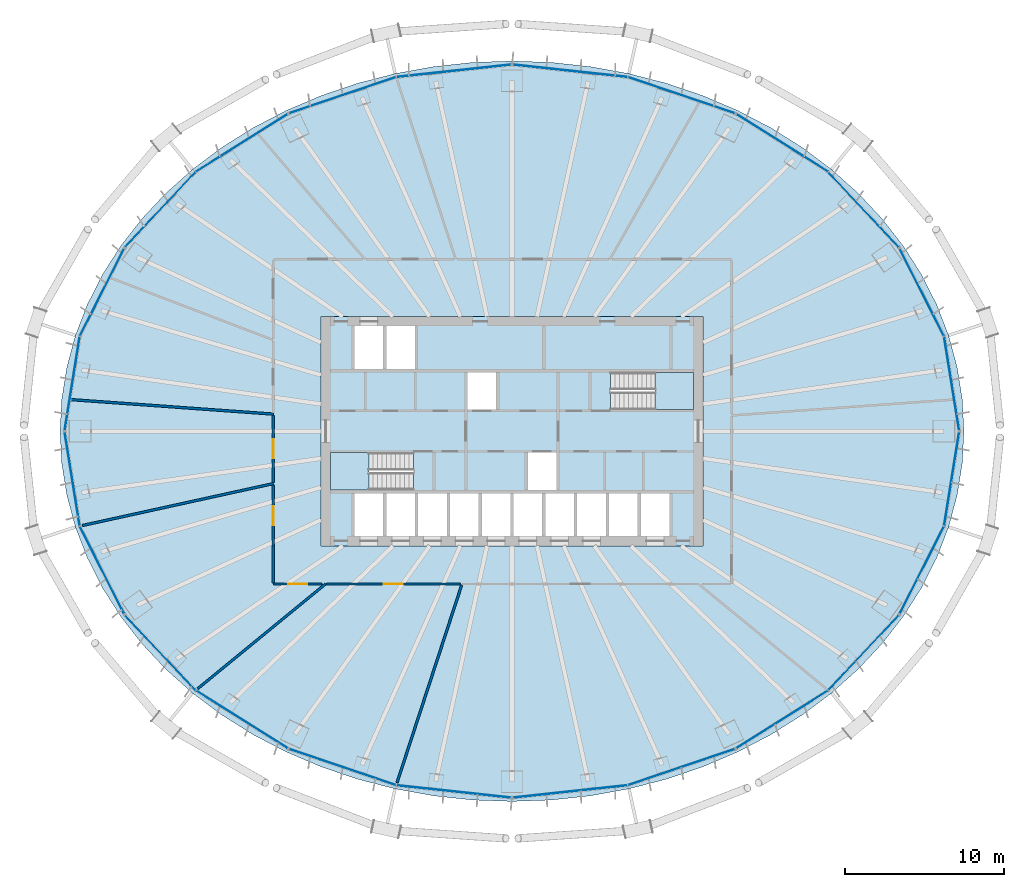
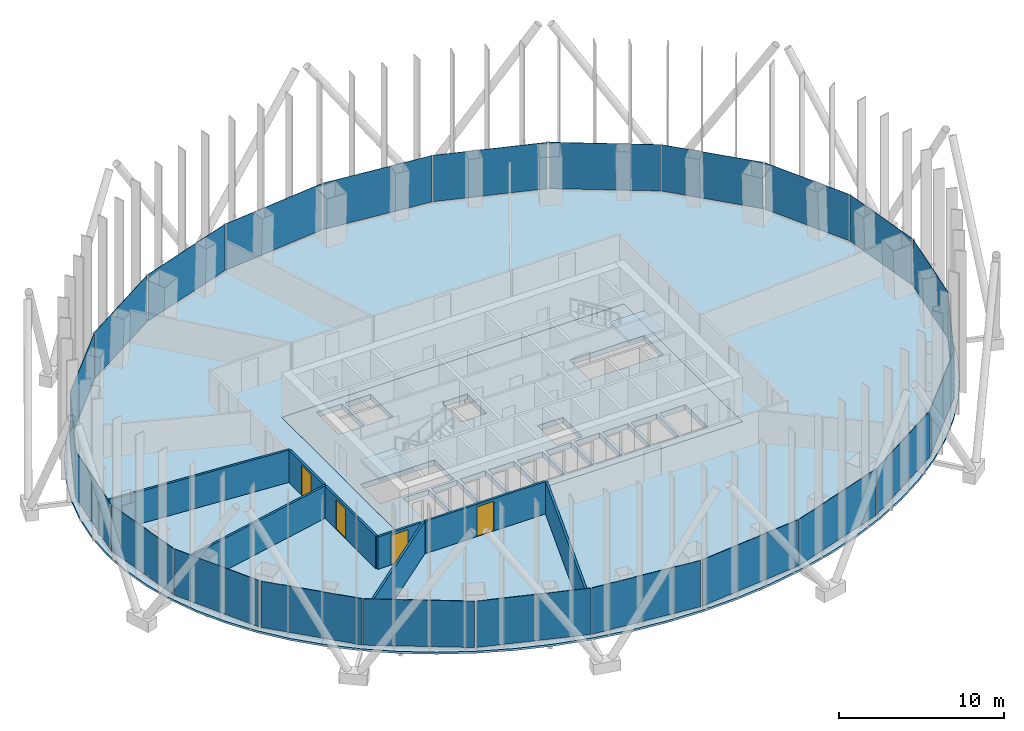
# One storey, part 7 of 22: 24 plates, 9 walls, 4 doors, 4 slabs, 4 openings, 14 elements without a shape of their own.
"""IFC4 building model written with IfcOpenShell, lengths in metres."""

from ifc_helpers import new_model, si_unit, direction, frame, frame_2d, origin, origin_2d, place, context, subcontext, project, spatial, polyline, rectangle, outline, extrude, material, layer, layer_set, type_object, element, fill, aggregate, save


model = new_model("IFC4")

# Units and contexts
model_context = context("Model", 3, precision=1e-05, world=origin(), true_north=direction((0.0, 1.0)))
body_context = subcontext(model_context, "Body", "Model", "MODEL_VIEW")
ifc_project = project(units=[si_unit("LENGTHUNIT", "METRE"), si_unit("AREAUNIT", "SQUARE_METRE"), si_unit("VOLUMEUNIT", "CUBIC_METRE"), si_unit("PLANEANGLEUNIT", "RADIAN"), si_unit("MASSUNIT", "GRAM", prefix="KILO")], contexts=[model_context])

# Site, building, storey
site_placement = place(None, origin())
site = spatial("IfcSite", under=ifc_project, at=site_placement, CompositionType="ELEMENT")
building_placement = place(site_placement, origin())
building = spatial("IfcBuilding", under=site, at=building_placement, Name="Siaravel Broadcast Tower", CompositionType="ELEMENT")
storey_placement = place(building_placement, frame((0.0, 0.0, 37.10009765625)))
storey = spatial("IfcBuildingStorey", under=building, at=storey_placement, Name="L07", CompositionType="ELEMENT", Elevation=37.10009765625)

# Curtain wall, plates
ifc_material_1 = material(Name="Aluminium 6063-T6", Category="aluminium")
ifc_layer_1 = layer(ifc_material_1, 0.219970703125)
ifc_layer_set_1 = layer_set([ifc_layer_1], Name="Aluminium 6063-T6")
curtain_wall_type = type_object("IfcCurtainWallType", Name="Unitised curtain wall, zone 1", PredefinedType="NOTDEFINED", material=ifc_layer_set_1)
curtain_wall_1_placement = place(storey_placement, origin())
curtain_wall_1 = element("IfcCurtainWall", 1, at=curtain_wall_1_placement, inside=storey, type_object=curtain_wall_type, Name="L07 Unitised curtain wall, zone 1 01", PredefinedType="NOTDEFINED")
ifc_material_2 = material(Name="Tinted laminated glass", Category="glass")
ifc_layer_2 = layer(ifc_material_2, 0.031982421875)
ifc_layer_set_2 = layer_set([ifc_layer_2], Name="Tinted laminated glass")
plate_type = type_object("IfcPlateType", Name="CW-Z1 glass panel", PredefinedType="CURTAIN_PANEL", material=ifc_layer_set_2)
plate_1_placement = place(storey_placement, frame((27.6337890625, 3.0, 0.1201171875), z_axis=(0.0, 0.0, 1.0), x_axis=(-0.158685802, 0.987329133, 0.0)))
plate_1 = element("IfcPlate", 2, at=plate_1_placement, type_object=plate_type, Name="CW-Z1 glass panel", PredefinedType="CURTAIN_PANEL", context=body_context, shape_type="SweptSolid", body=[
    extrude(rectangle(XDim=5.937255859375, YDim=0.031982421875, at=origin_2d()), origin(), (0.0, 0.0, 1.0), 3.429931640625),
])
plate_2_placement = place(storey_placement, frame((25.760009765625, 8.72900390625, 0.1201171875), z_axis=(0.0, 0.0, 1.0), x_axis=(-0.451261399, 0.892391814, 0.0)))
plate_2 = element("IfcPlate", 3, at=plate_2_placement, type_object=plate_type, Name="CW-Z1 glass panel", PredefinedType="CURTAIN_PANEL", context=body_context, shape_type="SweptSolid", body=[
    extrude(rectangle(XDim=6.123046875, YDim=0.031982421875, at=origin_2d()), origin(), (0.0, 0.0, 1.0), 3.429931640625),
])
aggregate(curtain_wall_1, [plate_1, plate_2])

curtain_wall_2_placement = place(storey_placement, origin())
curtain_wall_2 = element("IfcCurtainWall", 4, at=curtain_wall_2_placement, inside=storey, type_object=curtain_wall_type, Name="L07 Unitised curtain wall, zone 1 02", PredefinedType="NOTDEFINED")
plate_3_placement = place(storey_placement, frame((22.10009765625, 13.921875, 0.1201171875), z_axis=(0.0, 0.0, 1.0), x_axis=(-0.683655426, 0.729804946, 0.0)))
plate_3 = element("IfcPlate", 5, at=plate_3_placement, type_object=plate_type, Name="CW-Z1 glass panel", PredefinedType="CURTAIN_PANEL", context=body_context, shape_type="SweptSolid", body=[
    extrude(rectangle(XDim=6.4326171875, YDim=0.031982421875, at=origin_2d()), origin(), (0.0, 0.0, 1.0), 3.429931640625),
])
plate_4_placement = place(storey_placement, frame((16.980712890625, 18.115234375, 0.1201171875), z_axis=(0.0, 0.0, 1.0), x_axis=(-0.846650657, 0.532149101, 0.0)))
plate_4 = element("IfcPlate", 6, at=plate_4_placement, type_object=plate_type, Name="CW-Z1 glass panel", PredefinedType="CURTAIN_PANEL", context=body_context, shape_type="SweptSolid", body=[
    extrude(rectangle(XDim=6.772705078125, YDim=0.031982421875, at=origin_2d()), origin(), (0.0, 0.0, 1.0), 3.429931640625),
])
aggregate(curtain_wall_2, [plate_3, plate_4])

curtain_wall_3_placement = place(storey_placement, origin())
curtain_wall_3 = element("IfcCurtainWall", 7, at=curtain_wall_3_placement, inside=storey, type_object=curtain_wall_type, Name="L07 Unitised curtain wall, zone 1 03", PredefinedType="NOTDEFINED")
plate_5_placement = place(storey_placement, frame((10.64794921875, 21.1103515625, 0.1201171875), z_axis=(0.0, 0.0, 1.0), x_axis=(-0.946977246, 0.321300632, 0.0)))
plate_5 = element("IfcPlate", 8, at=plate_5_placement, type_object=plate_type, Name="CW-Z1 glass panel", PredefinedType="CURTAIN_PANEL", context=body_context, shape_type="SweptSolid", body=[
    extrude(rectangle(XDim=7.05419921875, YDim=0.031982421875, at=origin_2d()), origin(), (0.0, 0.0, 1.0), 3.429931640625),
])
plate_6_placement = place(storey_placement, frame((3.65478515625, 22.645263671875, 0.1201171875), z_axis=(0.0, 0.0, 1.0), x_axis=(-0.994235589, 0.107217509, 0.0)))
plate_6 = element("IfcPlate", 9, at=plate_6_placement, type_object=plate_type, Name="CW-Z1 glass panel", PredefinedType="CURTAIN_PANEL", context=body_context, shape_type="SweptSolid", body=[
    extrude(rectangle(XDim=7.2119140625, YDim=0.031982421875, at=origin_2d()), origin(), (0.0, 0.0, 1.0), 3.429931640625),
])
aggregate(curtain_wall_3, [plate_5, plate_6])

curtain_wall_4_placement = place(storey_placement, origin())
curtain_wall_4 = element("IfcCurtainWall", 10, at=curtain_wall_4_placement, inside=storey, type_object=curtain_wall_type, Name="L07 Unitised curtain wall, zone 1 04", PredefinedType="NOTDEFINED")
plate_7_placement = place(storey_placement, frame((-3.65478515625, 22.645263671875, 0.1201171875), z_axis=(0.0, 0.0, 1.0), x_axis=(-0.994235589, -0.107217509, 0.0)))
plate_7 = element("IfcPlate", 11, at=plate_7_placement, type_object=plate_type, Name="CW-Z1 glass panel", PredefinedType="CURTAIN_PANEL", context=body_context, shape_type="SweptSolid", body=[
    extrude(rectangle(XDim=7.2119140625, YDim=0.031982421875, at=origin_2d()), origin(), (0.0, 0.0, 1.0), 3.429931640625),
])
plate_8_placement = place(storey_placement, frame((-10.64794921875, 21.1103515625, 0.1201171875), z_axis=(0.0, 0.0, 1.0), x_axis=(-0.946977246, -0.321300632, 0.0)))
plate_8 = element("IfcPlate", 12, at=plate_8_placement, type_object=plate_type, Name="CW-Z1 glass panel", PredefinedType="CURTAIN_PANEL", context=body_context, shape_type="SweptSolid", body=[
    extrude(rectangle(XDim=7.05419921875, YDim=0.031982421875, at=origin_2d()), origin(), (0.0, 0.0, 1.0), 3.429931640625),
])
aggregate(curtain_wall_4, [plate_7, plate_8])

curtain_wall_5_placement = place(storey_placement, origin())
curtain_wall_5 = element("IfcCurtainWall", 13, at=curtain_wall_5_placement, inside=storey, type_object=curtain_wall_type, Name="L07 Unitised curtain wall, zone 1 05", PredefinedType="NOTDEFINED")
plate_9_placement = place(storey_placement, frame((-16.980712890625, 18.115234375, 0.1201171875), z_axis=(0.0, 0.0, 1.0), x_axis=(-0.846650657, -0.532149101, 0.0)))
plate_9 = element("IfcPlate", 14, at=plate_9_placement, type_object=plate_type, Name="CW-Z1 glass panel", PredefinedType="CURTAIN_PANEL", context=body_context, shape_type="SweptSolid", body=[
    extrude(rectangle(XDim=6.772705078125, YDim=0.031982421875, at=origin_2d()), origin(), (0.0, 0.0, 1.0), 3.429931640625),
])
plate_10_placement = place(storey_placement, frame((-22.10009765625, 13.921875, 0.1201171875), z_axis=(0.0, 0.0, 1.0), x_axis=(-0.683655426, -0.729804946, 0.0)))
plate_10 = element("IfcPlate", 15, at=plate_10_placement, type_object=plate_type, Name="CW-Z1 glass panel", PredefinedType="CURTAIN_PANEL", context=body_context, shape_type="SweptSolid", body=[
    extrude(rectangle(XDim=6.4326171875, YDim=0.031982421875, at=origin_2d()), origin(), (0.0, 0.0, 1.0), 3.429931640625),
])
aggregate(curtain_wall_5, [plate_9, plate_10])

curtain_wall_6_placement = place(storey_placement, origin())
curtain_wall_6 = element("IfcCurtainWall", 16, at=curtain_wall_6_placement, inside=storey, type_object=curtain_wall_type, Name="L07 Unitised curtain wall, zone 1 06", PredefinedType="NOTDEFINED")
plate_11_placement = place(storey_placement, frame((-25.760009765625, 8.72900390625, 0.1201171875), z_axis=(0.0, 0.0, 1.0), x_axis=(-0.451261399, -0.892391814, 0.0)))
plate_11 = element("IfcPlate", 17, at=plate_11_placement, type_object=plate_type, Name="CW-Z1 glass panel", PredefinedType="CURTAIN_PANEL", context=body_context, shape_type="SweptSolid", body=[
    extrude(rectangle(XDim=6.123046875, YDim=0.031982421875, at=origin_2d()), origin(), (0.0, 0.0, 1.0), 3.429931640625),
])
plate_12_placement = place(storey_placement, frame((-27.6337890625, 3.0, 0.1201171875), z_axis=(0.0, 0.0, 1.0), x_axis=(-0.158685802, -0.987329133, 0.0)))
plate_12 = element("IfcPlate", 18, at=plate_12_placement, type_object=plate_type, Name="CW-Z1 glass panel", PredefinedType="CURTAIN_PANEL", context=body_context, shape_type="SweptSolid", body=[
    extrude(rectangle(XDim=5.937255859375, YDim=0.031982421875, at=origin_2d()), origin(), (0.0, 0.0, 1.0), 3.429931640625),
])
aggregate(curtain_wall_6, [plate_11, plate_12])

curtain_wall_7_placement = place(storey_placement, origin())
curtain_wall_7 = element("IfcCurtainWall", 19, at=curtain_wall_7_placement, inside=storey, type_object=curtain_wall_type, Name="L07 Unitised curtain wall, zone 1 07", PredefinedType="NOTDEFINED")
plate_13_placement = place(storey_placement, frame((-27.6337890625, -3.0, 0.1201171875), z_axis=(0.0, 0.0, 1.0), x_axis=(0.158685802, -0.987329133, 0.0)))
plate_13 = element("IfcPlate", 20, at=plate_13_placement, type_object=plate_type, Name="CW-Z1 glass panel", PredefinedType="CURTAIN_PANEL", context=body_context, shape_type="SweptSolid", body=[
    extrude(rectangle(XDim=5.937255859375, YDim=0.031982421875, at=origin_2d()), origin(), (0.0, 0.0, 1.0), 3.429931640625),
])
plate_14_placement = place(storey_placement, frame((-25.760009765625, -8.72900390625, 0.1201171875), z_axis=(0.0, 0.0, 1.0), x_axis=(0.451261399, -0.892391814, 0.0)))
plate_14 = element("IfcPlate", 21, at=plate_14_placement, type_object=plate_type, Name="CW-Z1 glass panel", PredefinedType="CURTAIN_PANEL", context=body_context, shape_type="SweptSolid", body=[
    extrude(rectangle(XDim=6.123046875, YDim=0.031982421875, at=origin_2d()), origin(), (0.0, 0.0, 1.0), 3.429931640625),
])
aggregate(curtain_wall_7, [plate_13, plate_14])

curtain_wall_8_placement = place(storey_placement, origin())
curtain_wall_8 = element("IfcCurtainWall", 22, at=curtain_wall_8_placement, inside=storey, type_object=curtain_wall_type, Name="L07 Unitised curtain wall, zone 1 08", PredefinedType="NOTDEFINED")
plate_15_placement = place(storey_placement, frame((-22.10009765625, -13.921875, 0.1201171875), z_axis=(0.0, 0.0, 1.0), x_axis=(0.683655426, -0.729804946, 0.0)))
plate_15 = element("IfcPlate", 23, at=plate_15_placement, type_object=plate_type, Name="CW-Z1 glass panel", PredefinedType="CURTAIN_PANEL", context=body_context, shape_type="SweptSolid", body=[
    extrude(rectangle(XDim=6.4326171875, YDim=0.031982421875, at=origin_2d()), origin(), (0.0, 0.0, 1.0), 3.429931640625),
])
plate_16_placement = place(storey_placement, frame((-16.980712890625, -18.115234375, 0.1201171875), z_axis=(0.0, 0.0, 1.0), x_axis=(0.846650657, -0.532149101, 0.0)))
plate_16 = element("IfcPlate", 24, at=plate_16_placement, type_object=plate_type, Name="CW-Z1 glass panel", PredefinedType="CURTAIN_PANEL", context=body_context, shape_type="SweptSolid", body=[
    extrude(rectangle(XDim=6.772705078125, YDim=0.031982421875, at=origin_2d()), origin(), (0.0, 0.0, 1.0), 3.429931640625),
])
aggregate(curtain_wall_8, [plate_15, plate_16])

curtain_wall_9_placement = place(storey_placement, origin())
curtain_wall_9 = element("IfcCurtainWall", 25, at=curtain_wall_9_placement, inside=storey, type_object=curtain_wall_type, Name="L07 Unitised curtain wall, zone 1 09", PredefinedType="NOTDEFINED")
plate_17_placement = place(storey_placement, frame((-10.64794921875, -21.1103515625, 0.1201171875), z_axis=(0.0, 0.0, 1.0), x_axis=(0.946977246, -0.321300632, 0.0)))
plate_17 = element("IfcPlate", 26, at=plate_17_placement, type_object=plate_type, Name="CW-Z1 glass panel", PredefinedType="CURTAIN_PANEL", context=body_context, shape_type="SweptSolid", body=[
    extrude(rectangle(XDim=7.05419921875, YDim=0.031982421875, at=origin_2d()), origin(), (0.0, 0.0, 1.0), 3.429931640625),
])
plate_18_placement = place(storey_placement, frame((-3.65478515625, -22.645263671875, 0.1201171875), z_axis=(0.0, 0.0, 1.0), x_axis=(0.994235589, -0.107217509, 0.0)))
plate_18 = element("IfcPlate", 27, at=plate_18_placement, type_object=plate_type, Name="CW-Z1 glass panel", PredefinedType="CURTAIN_PANEL", context=body_context, shape_type="SweptSolid", body=[
    extrude(rectangle(XDim=7.2119140625, YDim=0.031982421875, at=origin_2d()), origin(), (0.0, 0.0, 1.0), 3.429931640625),
])
aggregate(curtain_wall_9, [plate_17, plate_18])

curtain_wall_10_placement = place(storey_placement, origin())
curtain_wall_10 = element("IfcCurtainWall", 28, at=curtain_wall_10_placement, inside=storey, type_object=curtain_wall_type, Name="L07 Unitised curtain wall, zone 1 10", PredefinedType="NOTDEFINED")
plate_19_placement = place(storey_placement, frame((3.65478515625, -22.645263671875, 0.1201171875), z_axis=(0.0, 0.0, 1.0), x_axis=(0.994235589, 0.107217509, 0.0)))
plate_19 = element("IfcPlate", 29, at=plate_19_placement, type_object=plate_type, Name="CW-Z1 glass panel", PredefinedType="CURTAIN_PANEL", context=body_context, shape_type="SweptSolid", body=[
    extrude(rectangle(XDim=7.2119140625, YDim=0.031982421875, at=origin_2d()), origin(), (0.0, 0.0, 1.0), 3.429931640625),
])
plate_20_placement = place(storey_placement, frame((10.64794921875, -21.1103515625, 0.1201171875), z_axis=(0.0, 0.0, 1.0), x_axis=(0.946977246, 0.321300632, 0.0)))
plate_20 = element("IfcPlate", 30, at=plate_20_placement, type_object=plate_type, Name="CW-Z1 glass panel", PredefinedType="CURTAIN_PANEL", context=body_context, shape_type="SweptSolid", body=[
    extrude(rectangle(XDim=7.05419921875, YDim=0.031982421875, at=origin_2d()), origin(), (0.0, 0.0, 1.0), 3.429931640625),
])
aggregate(curtain_wall_10, [plate_19, plate_20])

curtain_wall_11_placement = place(storey_placement, origin())
curtain_wall_11 = element("IfcCurtainWall", 31, at=curtain_wall_11_placement, inside=storey, type_object=curtain_wall_type, Name="L07 Unitised curtain wall, zone 1 11", PredefinedType="NOTDEFINED")
plate_21_placement = place(storey_placement, frame((16.980712890625, -18.115234375, 0.1201171875), z_axis=(0.0, 0.0, 1.0), x_axis=(0.846650657, 0.532149101, 0.0)))
plate_21 = element("IfcPlate", 32, at=plate_21_placement, type_object=plate_type, Name="CW-Z1 glass panel", PredefinedType="CURTAIN_PANEL", context=body_context, shape_type="SweptSolid", body=[
    extrude(rectangle(XDim=6.772705078125, YDim=0.031982421875, at=origin_2d()), origin(), (0.0, 0.0, 1.0), 3.429931640625),
])
plate_22_placement = place(storey_placement, frame((22.10009765625, -13.921875, 0.1201171875), z_axis=(0.0, 0.0, 1.0), x_axis=(0.683655426, 0.729804946, 0.0)))
plate_22 = element("IfcPlate", 33, at=plate_22_placement, type_object=plate_type, Name="CW-Z1 glass panel", PredefinedType="CURTAIN_PANEL", context=body_context, shape_type="SweptSolid", body=[
    extrude(rectangle(XDim=6.4326171875, YDim=0.031982421875, at=origin_2d()), origin(), (0.0, 0.0, 1.0), 3.429931640625),
])
aggregate(curtain_wall_11, [plate_21, plate_22])

curtain_wall_12_placement = place(storey_placement, origin())
curtain_wall_12 = element("IfcCurtainWall", 34, at=curtain_wall_12_placement, inside=storey, type_object=curtain_wall_type, Name="L07 Unitised curtain wall, zone 1 12", PredefinedType="NOTDEFINED")
plate_23_placement = place(storey_placement, frame((25.760009765625, -8.72900390625, 0.1201171875), z_axis=(0.0, 0.0, 1.0), x_axis=(0.451261399, 0.892391814, 0.0)))
plate_23 = element("IfcPlate", 35, at=plate_23_placement, type_object=plate_type, Name="CW-Z1 glass panel", PredefinedType="CURTAIN_PANEL", context=body_context, shape_type="SweptSolid", body=[
    extrude(rectangle(XDim=6.123046875, YDim=0.031982421875, at=origin_2d()), origin(), (0.0, 0.0, 1.0), 3.429931640625),
])
plate_24_placement = place(storey_placement, frame((27.6337890625, -3.0, 0.1201171875), z_axis=(0.0, 0.0, 1.0), x_axis=(0.158685802, 0.987329133, 0.0)))
plate_24 = element("IfcPlate", 36, at=plate_24_placement, type_object=plate_type, Name="CW-Z1 glass panel", PredefinedType="CURTAIN_PANEL", context=body_context, shape_type="SweptSolid", body=[
    extrude(rectangle(XDim=5.937255859375, YDim=0.031982421875, at=origin_2d()), origin(), (0.0, 0.0, 1.0), 3.429931640625),
])
aggregate(curtain_wall_12, [plate_23, plate_24])

# Slabs
ifc_material_3 = material(Name="Concrete C40/50", Category="concrete")
ifc_layer_3 = layer(ifc_material_3, 0.39990234375)
ifc_layer_set_3 = layer_set([ifc_layer_3], Name="Concrete C40/50")
slab_type_1 = type_object("IfcSlabType", Name="Core floor slab 400", PredefinedType="FLOOR", material=ifc_layer_set_3)
slab_1_placement = place(storey_placement, frame((0.0, 0.0, -0.400146484375)))
element("IfcSlab", 37, at=slab_1_placement, inside=storey, type_object=slab_type_1, Name="L07 core floor", PredefinedType="FLOOR", context=body_context, shape_type="SweptSolid", body=[
    extrude(outline(polyline([(-12.0, -7.199951171875), (-12.0, 7.199951171875), (12.0, 7.199951171875), (12.0, -7.199951171875), (-12.0, -7.199951171875)]), holes=[polyline([(11.3994140625, 1.3505859375), (11.3994140625, 3.699462890625), (6.200439453125, 3.699462890625), (6.200439453125, 1.3505859375), (11.3994140625, 1.3505859375)]), polyline([(9.89990234375, -3.89990234375), (8.10009765625, -3.89990234375), (8.10009765625, -6.60009765625), (9.89990234375, -6.60009765625), (9.89990234375, -3.89990234375)]), polyline([(7.89990234375, -3.89990234375), (6.10009765625, -3.89990234375), (6.10009765625, -6.60009765625), (7.89990234375, -6.60009765625), (7.89990234375, -3.89990234375)]), polyline([(5.89990234375, -3.89990234375), (4.10009765625, -3.89990234375), (4.10009765625, -6.60009765625), (5.89990234375, -6.60009765625), (5.89990234375, -3.89990234375)]), polyline([(3.89990234375, -3.89990234375), (2.10009765625, -3.89990234375), (2.10009765625, -6.60009765625), (3.89990234375, -6.60009765625), (3.89990234375, -3.89990234375)]), polyline([(2.800048828125, -1.35009765625), (1.0, -1.35009765625), (1.0, -3.699951171875), (2.800048828125, -3.699951171875), (2.800048828125, -1.35009765625)]), polyline([(1.89990234375, -3.89990234375), (0.10009765625, -3.89990234375), (0.10009765625, -6.60009765625), (1.89990234375, -6.60009765625), (1.89990234375, -3.89990234375)]), polyline([(-0.10009765625, -3.89990234375), (-1.89990234375, -3.89990234375), (-1.89990234375, -6.60009765625), (-0.10009765625, -6.60009765625), (-0.10009765625, -3.89990234375)]), polyline([(-1.0, 3.699951171875), (-2.800048828125, 3.699951171875), (-2.800048828125, 1.35009765625), (-1.0, 1.35009765625), (-1.0, 3.699951171875)]), polyline([(-2.10009765625, -3.89990234375), (-3.89990234375, -3.89990234375), (-3.89990234375, -6.60009765625), (-2.10009765625, -6.60009765625), (-2.10009765625, -3.89990234375)]), polyline([(-4.10009765625, -3.89990234375), (-5.89990234375, -3.89990234375), (-5.89990234375, -6.60009765625), (-4.10009765625, -6.60009765625), (-4.10009765625, -3.89990234375)]), polyline([(-6.10009765625, -3.89990234375), (-7.89990234375, -3.89990234375), (-7.89990234375, -6.60009765625), (-6.10009765625, -6.60009765625), (-6.10009765625, -3.89990234375)]), polyline([(-6.10009765625, 6.60009765625), (-7.89990234375, 6.60009765625), (-7.89990234375, 3.89990234375), (-6.10009765625, 3.89990234375), (-6.10009765625, 6.60009765625)]), polyline([(-11.3994140625, -1.3505859375), (-11.3994140625, -3.699462890625), (-6.200439453125, -3.699462890625), (-6.200439453125, -1.3505859375), (-11.3994140625, -1.3505859375)]), polyline([(-8.10009765625, -3.89990234375), (-9.89990234375, -3.89990234375), (-9.89990234375, -6.60009765625), (-8.10009765625, -6.60009765625), (-8.10009765625, -3.89990234375)]), polyline([(-8.10009765625, 6.60009765625), (-9.89990234375, 6.60009765625), (-9.89990234375, 3.89990234375), (-8.10009765625, 3.89990234375), (-8.10009765625, 6.60009765625)])]), origin(), (0.0, 0.0, 1.0), 0.400146484375),
])
ifc_layer_4 = layer(ifc_material_3, 0.14990234375)
ifc_layer_set_4 = layer_set([ifc_layer_4], Name="Concrete C40/50")
slab_type_2 = type_object("IfcSlabType", Name="SLB-FLOOR-150", PredefinedType="FLOOR", material=ifc_layer_set_4)
slab_2_placement = place(storey_placement, frame((0.0, 0.0, -0.150146484375)))
element("IfcSlab", 38, at=slab_2_placement, inside=storey, type_object=slab_type_2, Name="Floor slab", PredefinedType="FLOOR", context=body_context, shape_type="SweptSolid", body=[
    extrude(outline(polyline([(28.403564453125, 0.0), (28.29541015625, 2.027587890625), (27.97216796875, 4.0400390625), (27.435791015625, 6.021484375), (26.690673828125, 7.957275390625), (25.742431640625, 9.83251953125), (24.59814453125, 11.6328125), (23.266845703125, 13.3447265625), (21.75830078125, 14.954833984375), (20.08447265625, 16.451416015625), (18.257568359375, 17.822509765625), (16.29150390625, 19.05810546875), (14.201904296875, 20.148681640625), (12.00390625, 21.0859375), (9.714599609375, 21.862548828125), (7.351318359375, 22.472900390625), (4.93212890625, 22.912109375), (2.4755859375, 23.17724609375), (0.0, 23.265625), (-2.4755859375, 23.17724609375), (-4.93212890625, 22.912109375), (-7.351318359375, 22.472900390625), (-9.714599609375, 21.862548828125), (-12.00390625, 21.0859375), (-14.201904296875, 20.148681640625), (-16.29150390625, 19.05810546875), (-18.257568359375, 17.822509765625), (-20.08447265625, 16.451416015625), (-21.75830078125, 14.954833984375), (-23.266845703125, 13.3447265625), (-24.59814453125, 11.6328125), (-25.742431640625, 9.83251953125), (-26.690673828125, 7.957275390625), (-27.435791015625, 6.021484375), (-27.97216796875, 4.0400390625), (-28.29541015625, 2.027587890625), (-28.403564453125, 0.0), (-28.29541015625, -2.027587890625), (-27.97216796875, -4.0400390625), (-27.435791015625, -6.021484375), (-26.690673828125, -7.957275390625), (-25.742431640625, -9.83251953125), (-24.59814453125, -11.6328125), (-23.266845703125, -13.3447265625), (-21.75830078125, -14.954833984375), (-20.08447265625, -16.451416015625), (-18.257568359375, -17.822509765625), (-16.29150390625, -19.05810546875), (-14.201904296875, -20.148681640625), (-12.00390625, -21.0859375), (-9.714599609375, -21.862548828125), (-7.351318359375, -22.472900390625), (-4.93212890625, -22.912109375), (-2.4755859375, -23.17724609375), (0.0, -23.265625), (2.4755859375, -23.17724609375), (4.93212890625, -22.912109375), (7.351318359375, -22.472900390625), (9.714599609375, -21.862548828125), (12.00390625, -21.0859375), (14.201904296875, -20.148681640625), (16.29150390625, -19.05810546875), (18.257568359375, -17.822509765625), (20.08447265625, -16.451416015625), (21.75830078125, -14.954833984375), (23.266845703125, -13.3447265625), (24.59814453125, -11.6328125), (25.742431640625, -9.83251953125), (26.690673828125, -7.957275390625), (27.435791015625, -6.021484375), (27.97216796875, -4.0400390625), (28.29541015625, -2.027587890625), (28.403564453125, 0.0)]), holes=[polyline([(-12.0, 7.199951171875), (12.0, 7.199951171875), (12.0, -7.199951171875), (-12.0, -7.199951171875), (-12.0, 7.199951171875)])]), origin(), (0.0, 0.0, 1.0), 0.150146484375),
])

# Stair, slab
stair_type = type_object("IfcStairType", Name="Core exit stair", PredefinedType="HALF_TURN_STAIR", material=ifc_material_3)
stair_1_placement = place(storey_placement, origin())
stair_1 = element("IfcStair", 39, at=stair_1_placement, inside=storey, type_object=stair_type, Name="L07 Exit stair ST-1", PredefinedType="HALF_TURN_STAIR")
ifc_layer_5 = layer(ifc_material_3, 0.199951171875)
ifc_layer_set_5 = layer_set([ifc_layer_5], Name="Concrete C40/50")
slab_type_3 = type_object("IfcSlabType", Name="Stair landing", PredefinedType="LANDING", material=ifc_layer_set_5)
slab_3_placement = place(storey_placement, frame((0.0, 0.0, 1.64990234375)))
slab_3 = element("IfcSlab", 40, at=slab_3_placement, type_object=slab_type_3, Name="ST-1 landing 1", PredefinedType="LANDING", context=body_context, shape_type="SweptSolid", body=[
    extrude(outline(polyline([(-9.0, -1.35009765625), (-11.39990234375, -1.35009765625), (-11.39990234375, -3.699951171875), (-9.0, -3.699951171875), (-9.0, -1.35009765625)])), origin(), (0.0, 0.0, 1.0), 0.199951171875),
])
aggregate(stair_1, [slab_3])

stair_2_placement = place(storey_placement, origin())
stair_2 = element("IfcStair", 41, at=stair_2_placement, inside=storey, type_object=stair_type, Name="L07 Exit stair ST-2", PredefinedType="HALF_TURN_STAIR")
slab_4_placement = place(storey_placement, frame((0.0, 0.0, 1.64990234375)))
slab_4 = element("IfcSlab", 42, at=slab_4_placement, type_object=slab_type_3, Name="ST-2 landing 1", PredefinedType="LANDING", context=body_context, shape_type="SweptSolid", body=[
    extrude(outline(polyline([(9.0, 1.35009765625), (11.39990234375, 1.35009765625), (11.39990234375, 3.699951171875), (9.0, 3.699951171875), (9.0, 1.35009765625)])), origin(), (0.0, 0.0, 1.0), 0.199951171875),
])
aggregate(stair_2, [slab_4])

# Wall, opening, door
ifc_material_4 = material(Name="Gypsum board partition", Category="gypsum")
ifc_layer_6 = layer(ifc_material_4, 0.14990234375)
ifc_layer_set_6 = layer_set([ifc_layer_6], Name="Gypsum board partition")
wall_type_1 = type_object("IfcWallType", Name="Corridor wall 150", PredefinedType="PARTITIONING", material=ifc_layer_set_6)
wall_1_placement = place(storey_placement, frame((-11.67041015625, -9.60009765625, 0.0), z_axis=(0.0, 0.0, 1.0), x_axis=(1.0, 0.0, 0.0)))
wall_1 = element("IfcWall", 43, at=wall_1_placement, inside=storey, type_object=wall_type_1, Name="L07 partition 13", PredefinedType="PARTITIONING", context=body_context, shape_type="SweptSolid", body=[
    extrude(rectangle(XDim=8.424560546875, YDim=0.14990234375, at=frame_2d((4.21240234375, 0.0))), origin(), (0.0, 0.0, 1.0), 2.39990234375),
])
opening_1_placement = place(wall_1_placement, frame((3.6123046875, 0.0, 0.0)))
opening_1 = element("IfcOpeningElement", 44, at=opening_1_placement, cuts=wall_1, Name="Opening L07-013", PredefinedType="OPENING", context=body_context, shape_type="SweptSolid", body=[
    extrude(rectangle(XDim=1.199951171875, YDim=2.199951171875, at=frame_2d((0.60009765625, 1.10009765625))), frame((0.0, 0.0849609375, 0.0), z_axis=(0.0, -1.0, 0.0), x_axis=(1.0, 0.0, 0.0)), (0.0, 0.0, 1.0), 0.169921875),
])
ifc_material_5 = material(Name="Timber veneer", Category="wood")
door_type = type_object("IfcDoorType", Name="Office double door 1200", OperationType="DOUBLE_DOOR_SINGLE_SWING", PredefinedType="DOOR", material=ifc_material_5)
door_1_placement = place(opening_1_placement, origin())
door_1 = element("IfcDoor", 45, at=door_1_placement, inside=storey, type_object=door_type, Name="L07 door to Open plan newsroom", OperationType="DOUBLE_DOOR_SINGLE_SWING", OverallHeight=2.199951171875, OverallWidth=1.199951171875, PredefinedType="DOOR", context=body_context, shape_type="SweptSolid", body=[
    extrude(rectangle(XDim=1.199951171875, YDim=2.199951171875, at=frame_2d((0.60009765625, 1.10009765625))), frame((0.0, 0.02490234375, 0.0), z_axis=(0.0, -1.0, 0.0), x_axis=(1.0, 0.0, 0.0)), (0.0, 0.0, 1.0), 0.050048828125),
])
fill(opening_1, door_1)

wall_2_placement = place(storey_placement, frame((-15.0, 0.998046875, 0.0), z_axis=(0.0, 0.0, 1.0), x_axis=(0.0, -1.0, 0.0)))
wall_2 = element("IfcWall", 46, at=wall_2_placement, inside=storey, type_object=wall_type_1, Name="L07 partition 20", PredefinedType="PARTITIONING", context=body_context, shape_type="SweptSolid", body=[
    extrude(rectangle(XDim=4.215087890625, YDim=0.14990234375, at=frame_2d((2.107421875, 0.0))), origin(), (0.0, 0.0, 1.0), 2.39990234375),
])
opening_2_placement = place(wall_2_placement, frame((1.507568359375, 0.0, 0.0)))
opening_2 = element("IfcOpeningElement", 47, at=opening_2_placement, cuts=wall_2, Name="Opening L07-010", PredefinedType="OPENING", context=body_context, shape_type="SweptSolid", body=[
    extrude(rectangle(XDim=1.199951171875, YDim=2.199951171875, at=frame_2d((0.60009765625, 1.10009765625))), frame((0.0, 0.0849609375, 0.0), z_axis=(0.0, -1.0, 0.0), x_axis=(1.0, 0.0, 0.0)), (0.0, 0.0, 1.0), 0.169921875),
])
door_2_placement = place(opening_2_placement, origin())
door_2 = element("IfcDoor", 48, at=door_2_placement, inside=storey, type_object=door_type, Name="L07 door to Newsroom desk office", OperationType="DOUBLE_DOOR_SINGLE_SWING", OverallHeight=2.199951171875, OverallWidth=1.199951171875, PredefinedType="DOOR", context=body_context, shape_type="SweptSolid", body=[
    extrude(rectangle(XDim=1.199951171875, YDim=2.199951171875, at=frame_2d((0.60009765625, 1.10009765625))), frame((0.0, 0.02490234375, 0.0), z_axis=(0.0, -1.0, 0.0), x_axis=(1.0, 0.0, 0.0)), (0.0, 0.0, 1.0), 0.050048828125),
])
fill(opening_2, door_2)

wall_3_placement = place(storey_placement, frame((-15.0, -3.387451171875, 0.0), z_axis=(0.0, 0.0, 1.0), x_axis=(0.0, -1.0, 0.0)))
wall_3 = element("IfcWall", 49, at=wall_3_placement, inside=storey, type_object=wall_type_1, Name="L07 partition 21", PredefinedType="PARTITIONING", context=body_context, shape_type="SweptSolid", body=[
    extrude(rectangle(XDim=3.824462890625, YDim=0.14990234375, at=frame_2d((1.912109375, 0.0))), origin(), (0.0, 0.0, 1.0), 2.39990234375),
])
opening_3_placement = place(wall_3_placement, frame((1.312255859375, 0.0, 0.0)))
opening_3 = element("IfcOpeningElement", 50, at=opening_3_placement, cuts=wall_3, Name="Opening L07-011", PredefinedType="OPENING", context=body_context, shape_type="SweptSolid", body=[
    extrude(rectangle(XDim=1.199951171875, YDim=2.199951171875, at=frame_2d((0.60009765625, 1.10009765625))), frame((0.0, 0.0849609375, 0.0), z_axis=(0.0, -1.0, 0.0), x_axis=(1.0, 0.0, 0.0)), (0.0, 0.0, 1.0), 0.169921875),
])
door_3_placement = place(opening_3_placement, origin())
door_3 = element("IfcDoor", 51, at=door_3_placement, inside=storey, type_object=door_type, Name="L07 door to Open plan newsroom", OperationType="DOUBLE_DOOR_SINGLE_SWING", OverallHeight=2.199951171875, OverallWidth=1.199951171875, PredefinedType="DOOR", context=body_context, shape_type="SweptSolid", body=[
    extrude(rectangle(XDim=1.199951171875, YDim=2.199951171875, at=frame_2d((0.60009765625, 1.10009765625))), frame((0.0, 0.02490234375, 0.0), z_axis=(0.0, -1.0, 0.0), x_axis=(1.0, 0.0, 0.0)), (0.0, 0.0, 1.0), 0.050048828125),
])
fill(opening_3, door_3)

wall_4_placement = place(storey_placement, frame((-15.0, -9.60009765625, 0.0), z_axis=(0.0, 0.0, 1.0), x_axis=(1.0, 0.0, 0.0)))
wall_4 = element("IfcWall", 52, at=wall_4_placement, inside=storey, type_object=wall_type_1, Name="L07 partition 24", PredefinedType="PARTITIONING", context=body_context, shape_type="SweptSolid", body=[
    extrude(rectangle(XDim=3.068115234375, YDim=0.14990234375, at=frame_2d((1.5341796875, 0.0))), origin(), (0.0, 0.0, 1.0), 2.39990234375),
])
opening_4_placement = place(wall_4_placement, frame((0.93408203125, 0.0, 0.0)))
opening_4 = element("IfcOpeningElement", 53, at=opening_4_placement, cuts=wall_4, Name="Opening L07-012", PredefinedType="OPENING", context=body_context, shape_type="SweptSolid", body=[
    extrude(rectangle(XDim=1.199951171875, YDim=2.199951171875, at=frame_2d((0.60009765625, 1.10009765625))), frame((0.0, 0.0849609375, 0.0), z_axis=(0.0, -1.0, 0.0), x_axis=(1.0, 0.0, 0.0)), (0.0, 0.0, 1.0), 0.169921875),
])
door_4_placement = place(opening_4_placement, origin())
door_4 = element("IfcDoor", 54, at=door_4_placement, inside=storey, type_object=door_type, Name="L07 door to Open plan newsroom", OperationType="DOUBLE_DOOR_SINGLE_SWING", OverallHeight=2.199951171875, OverallWidth=1.199951171875, PredefinedType="DOOR", context=body_context, shape_type="SweptSolid", body=[
    extrude(rectangle(XDim=1.199951171875, YDim=2.199951171875, at=frame_2d((0.60009765625, 1.10009765625))), frame((0.0, 0.02490234375, 0.0), z_axis=(0.0, -1.0, 0.0), x_axis=(1.0, 0.0, 0.0)), (0.0, 0.0, 1.0), 0.050048828125),
])
fill(opening_4, door_4)

# Walls
wall_5_placement = place(storey_placement, frame((-15.0, -7.212890625, 0.0), z_axis=(0.0, 0.0, 1.0), x_axis=(0.0, -1.0, 0.0)))
element("IfcWall", 55, at=wall_5_placement, inside=storey, type_object=wall_type_1, Name="L07 partition 25", PredefinedType="PARTITIONING", context=body_context, shape_type="SweptSolid", body=[
    extrude(rectangle(XDim=2.31005859375, YDim=0.14990234375, at=frame_2d((1.155029296875, 0.0))), origin(), (0.0, 0.0, 1.0), 2.39990234375),
])
ifc_layer_7 = layer(ifc_material_4, 0.14990234375)
ifc_layer_set_7 = layer_set([ifc_layer_7], Name="Gypsum board partition")
wall_type_2 = type_object("IfcWallType", Name="Room partition 150", PredefinedType="PARTITIONING", material=ifc_layer_set_7)
wall_6_placement = place(storey_placement, frame((-7.226318359375, -22.0908203125, 0.0), z_axis=(0.0, 0.0, 1.0), x_axis=(0.310909896, 0.950439391, 0.0)))
element("IfcWall", 56, at=wall_6_placement, inside=storey, type_object=wall_type_2, Name="L07 partition 3", PredefinedType="PARTITIONING", context=body_context, shape_type="SweptSolid", body=[
    extrude(rectangle(XDim=13.06884765625, YDim=0.14990234375, at=frame_2d((6.534423828125, 0.0))), origin(), (0.0, 0.0, 1.0), 2.39990234375),
])
wall_7_placement = place(storey_placement, frame((-27.83984375, 1.9951171875, 0.0), z_axis=(0.0, 0.0, 1.0), x_axis=(0.997441921, -0.071481568, 0.0)))
element("IfcWall", 57, at=wall_7_placement, inside=storey, type_object=wall_type_2, Name="L07 partition 4", PredefinedType="PARTITIONING", context=body_context, shape_type="SweptSolid", body=[
    extrude(rectangle(XDim=12.872802734375, YDim=0.14990234375, at=frame_2d((6.4365234375, 0.0))), origin(), (0.0, 0.0, 1.0), 2.39990234375),
])
wall_8_placement = place(storey_placement, frame((-26.9912109375, -5.924072265625, 0.0), z_axis=(0.0, 0.0, 1.0), x_axis=(0.976750844, 0.214377679, 0.0)))
element("IfcWall", 58, at=wall_8_placement, inside=storey, type_object=wall_type_2, Name="L07 partition 5", PredefinedType="PARTITIONING", context=body_context, shape_type="SweptSolid", body=[
    extrude(rectangle(XDim=12.276611328125, YDim=0.14990234375, at=frame_2d((6.13818359375, 0.0))), origin(), (0.0, 0.0, 1.0), 2.39990234375),
])
wall_9_placement = place(storey_placement, frame((-19.750244140625, -16.177734375, 0.0), z_axis=(0.0, 0.0, 1.0), x_axis=(0.773607181, 0.633665471, 0.0)))
element("IfcWall", 59, at=wall_9_placement, inside=storey, type_object=wall_type_2, Name="L07 partition 10", PredefinedType="PARTITIONING", context=body_context, shape_type="SweptSolid", body=[
    extrude(rectangle(XDim=10.38037109375, YDim=0.14990234375, at=frame_2d((5.190185546875, 0.0))), origin(), (0.0, 0.0, 1.0), 2.39990234375),
])

save(model, "model.ifc")
